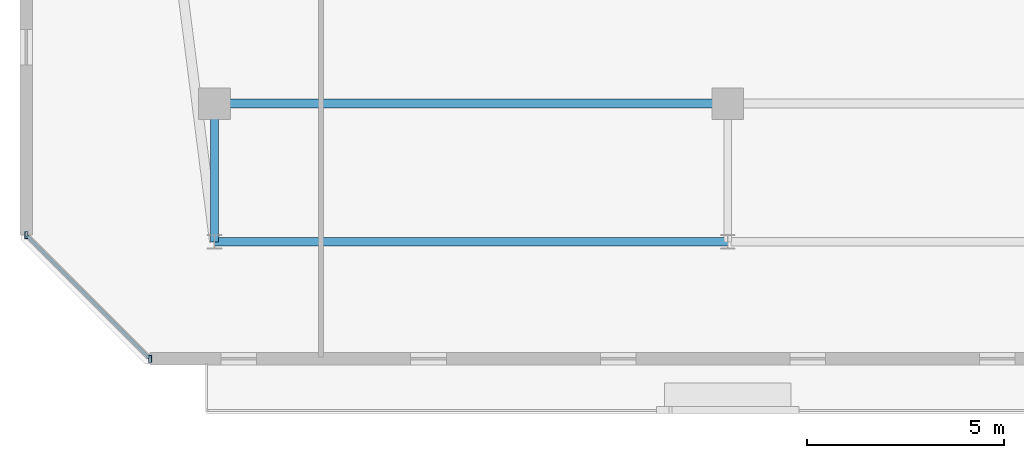
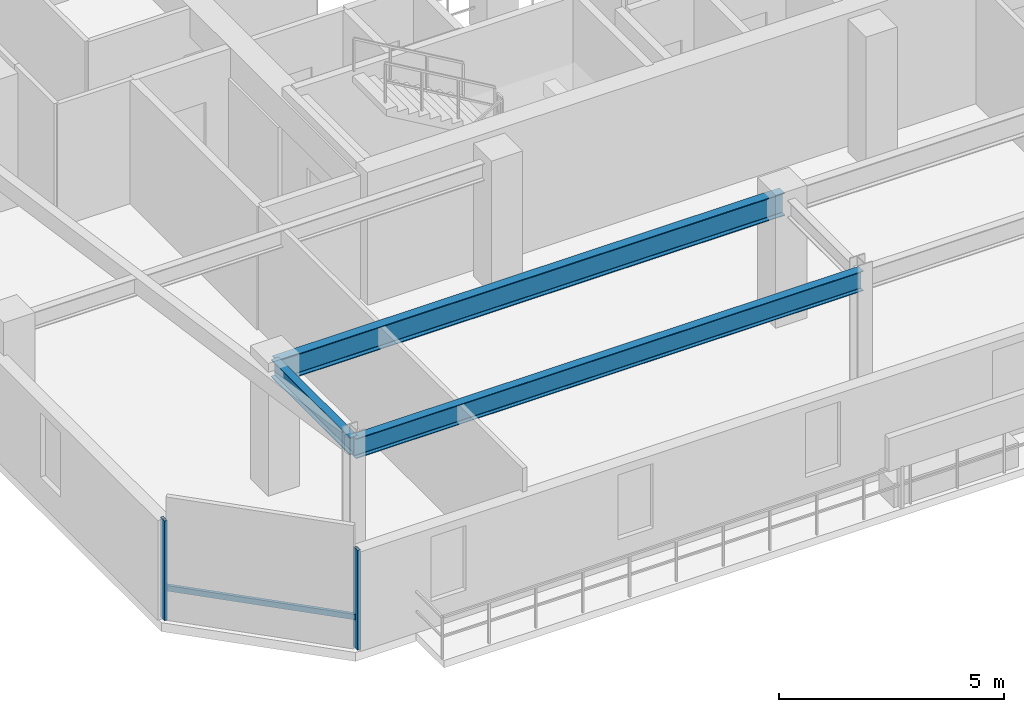
# One storey, part 5 of 35: 3 beams, 3 members, 1 element without a shape of its own.
"""IFC4 building model written with IfcOpenShell, lengths in metres."""

from ifc_helpers import new_model, si_unit, direction, frame, origin, origin_2d, place, context, subcontext, project, spatial, hollow_rectangle, i_section, extrude, material, material_profile, profile_set, type_object, element, aggregate, save


model = new_model("IFC4")

# Units and contexts
model_context = context("Model", 3, precision=1e-05, world=origin(), true_north=direction((0.0, 1.0)))
body_context = subcontext(model_context, "Body", "Model", "MODEL_VIEW")
ifc_project = project(units=[si_unit("LENGTHUNIT", "METRE"), si_unit("AREAUNIT", "SQUARE_METRE"), si_unit("VOLUMEUNIT", "CUBIC_METRE"), si_unit("PLANEANGLEUNIT", "RADIAN"), si_unit("MASSUNIT", "GRAM", prefix="KILO")], contexts=[model_context])

# Site, building, storey
site_placement = place(None, origin())
site = spatial("IfcSite", under=ifc_project, at=site_placement, CompositionType="ELEMENT")
building_placement = place(site_placement, origin())
building = spatial("IfcBuilding", under=site, at=building_placement, Name="Thornwick Lancets Civic Towers", CompositionType="ELEMENT")
storey_placement = place(building_placement, frame((0.0, 0.0, 269.10009765625)))
storey = spatial("IfcBuildingStorey", under=building, at=storey_placement, Name="L72", CompositionType="ELEMENT", Elevation=269.10009765625)

# Beams
ifc_material_1 = material(Name="Steel S355JR", Category="steel")
ifc_material_profile_1 = material_profile(ifc_material_1, i_section(OverallWidth=0.210693359375, OverallDepth=0.53955078125, WebThickness=0.01171875, FlangeThickness=0.018798828125, FilletRadius=0.0126953125, at=origin_2d()), Name="UKB 533x210x109")
ifc_profile_set_1 = profile_set([ifc_material_profile_1], Name="Steel S355JR")
beam_type_1 = type_object("IfcBeamType", Name="BM_EDGE_533_109", PredefinedType="SPANDREL", material=ifc_profile_set_1)
beam_1_placement = place(storey_placement, frame((12.5, 6.199951171875, 3.090087890625), z_axis=(1.0, 0.0, 0.0), x_axis=(0.0, 1.0, 0.0)))
element("IfcBeam", 1, at=beam_1_placement, inside=storey, type_object=beam_type_1, Name="BM-EDGE-L72-A-S0-1", PredefinedType="SPANDREL", context=body_context, shape_type="SweptSolid", body=[
    extrude(i_section(OverallWidth=0.210693359375, OverallDepth=0.53955078125, WebThickness=0.01171875, FlangeThickness=0.018798828125, FilletRadius=0.0126953125, at=origin_2d()), origin(), (0.0, 0.0, 1.0), 13.0),
])
ifc_material_profile_2 = material_profile(ifc_material_1, i_section(OverallWidth=0.230224609375, OverallDepth=0.6171875, WebThickness=0.01318359375, FlangeThickness=0.022216796875, FilletRadius=0.0126953125, at=origin_2d()), Name="UKB 610x229x140")
ifc_profile_set_2 = profile_set([ifc_material_profile_2], Name="Steel S355JR")
beam_type_2 = type_object("IfcBeamType", Name="BM_GIRD_610_140", PredefinedType="BEAM", material=ifc_profile_set_2)
beam_2_placement = place(storey_placement, frame((12.5, 9.699951171875, 3.05126953125), z_axis=(1.0, 0.0, 0.0), x_axis=(0.0, 1.0, 0.0)))
element("IfcBeam", 2, at=beam_2_placement, inside=storey, type_object=beam_type_2, Name="BM-SPINE-L72-A-0-1", PredefinedType="BEAM", context=body_context, shape_type="SweptSolid", body=[
    extrude(i_section(OverallWidth=0.230224609375, OverallDepth=0.6171875, WebThickness=0.01318359375, FlangeThickness=0.022216796875, FilletRadius=0.0126953125, at=origin_2d()), origin(), (0.0, 0.0, 1.0), 13.0),
])
ifc_material_profile_3 = material_profile(ifc_material_1, i_section(OverallWidth=0.19287109375, OverallDepth=0.46728515625, WebThickness=0.011474609375, FlangeThickness=0.01953125, FilletRadius=0.01025390625, at=origin_2d()), Name="UKB 457x191x98")
ifc_profile_set_3 = profile_set([ifc_material_profile_3], Name="Steel S355JR")
beam_type_3 = type_object("IfcBeamType", Name="BM_JOIST_457_98", PredefinedType="JOIST", material=ifc_profile_set_3)
beam_3_placement = place(storey_placement, frame((12.5, 9.699951171875, 3.126220703125), z_axis=(0.0, -1.0, 0.0), x_axis=(1.0, 0.0, 0.0)))
element("IfcBeam", 3, at=beam_3_placement, inside=storey, type_object=beam_type_3, Name="BM-RAD-L72-A01", PredefinedType="JOIST", context=body_context, shape_type="SweptSolid", body=[
    extrude(i_section(OverallWidth=0.19287109375, OverallDepth=0.46728515625, WebThickness=0.011474609375, FlangeThickness=0.01953125, FilletRadius=0.01025390625, at=origin_2d()), origin(), (0.0, 0.0, 1.0), 3.5),
])

# Curtain wall, members
ifc_material_2 = material(Name="High-zone chamfered-corner unitised glass curtain wall", Category="glass")
curtain_wall_type = type_object("IfcCurtainWallType", Name="CW_SYS_05", PredefinedType="NOTDEFINED", material=ifc_material_2)
curtain_wall_placement = place(storey_placement, origin())
curtain_wall = element("IfcCurtainWall", 4, at=curtain_wall_placement, inside=storey, type_object=curtain_wall_type, Name="L72 Curtain Wall CW-L72-A-E7", PredefinedType="NOTDEFINED")
ifc_material_3 = material(Name="Thermally broken bronze aluminium S355", Category="steel")
ifc_material_profile_4 = material_profile(ifc_material_3, hollow_rectangle(XDim=0.074951171875, YDim=0.179931640625, WallThickness=0.006103515625, at=origin_2d()), Name="RHS 180x75x6")
ifc_profile_set_4 = profile_set([ifc_material_profile_4], Name="Thermally broken bronze aluminium S355")
member_type_1 = type_object("IfcMemberType", Name="CW_MUL_180", PredefinedType="MULLION", material=ifc_profile_set_4)
member_1_placement = place(storey_placement, frame((7.7373046875, 6.37060546875, 0.0), z_axis=(0.0, 0.0, 1.0), x_axis=(1.0, 0.0, 0.0)))
member_1 = element("IfcMember", 5, at=member_1_placement, type_object=member_type_1, Name="CW-L72-A-E7 Mullion 0", PredefinedType="MULLION", context=body_context, shape_type="SweptSolid", body=[
    extrude(hollow_rectangle(XDim=0.074951171875, YDim=0.179931640625, WallThickness=0.006103515625, at=origin_2d()), origin(), (0.0, 0.0, 1.0), 2.699951171875),
])
member_2_placement = place(storey_placement, frame((10.87060546875, 3.2373046875, 0.0), z_axis=(0.0, 0.0, 1.0), x_axis=(1.0, 0.0, 0.0)))
member_2 = element("IfcMember", 6, at=member_2_placement, type_object=member_type_1, Name="CW-L72-A-E7 Mullion 1", PredefinedType="MULLION", context=body_context, shape_type="SweptSolid", body=[
    extrude(hollow_rectangle(XDim=0.074951171875, YDim=0.179931640625, WallThickness=0.006103515625, at=origin_2d()), origin(), (0.0, 0.0, 1.0), 2.699951171875),
])
ifc_material_profile_5 = material_profile(ifc_material_3, hollow_rectangle(XDim=0.074951171875, YDim=0.14990234375, WallThickness=0.0048828125, at=origin_2d()), Name="RHS 150x75x5")
ifc_profile_set_5 = profile_set([ifc_material_profile_5], Name="Thermally broken bronze aluminium S355")
member_type_2 = type_object("IfcMemberType", Name="CW_TRN_150", PredefinedType="USERDEFINED", material=ifc_profile_set_5)
member_3_placement = place(storey_placement, frame((7.751220703125, 6.3564453125, 0.849853515625), z_axis=(0.707106781187, -0.707106781187, 0.0), x_axis=(0.707106781187, 0.707106781187, 0.0)))
member_3 = element("IfcMember", 7, at=member_3_placement, type_object=member_type_2, Name="CW-L72-A-E7 Transom 0", ObjectType="TRANSOM", PredefinedType="USERDEFINED", context=body_context, shape_type="SweptSolid", body=[
    extrude(hollow_rectangle(XDim=0.074951171875, YDim=0.14990234375, WallThickness=0.0048828125, at=origin_2d()), origin(), (0.0, 0.0, 1.0), 4.391357421875),
])
aggregate(curtain_wall, [member_1, member_2, member_3])

save(model, "model.ifc")
